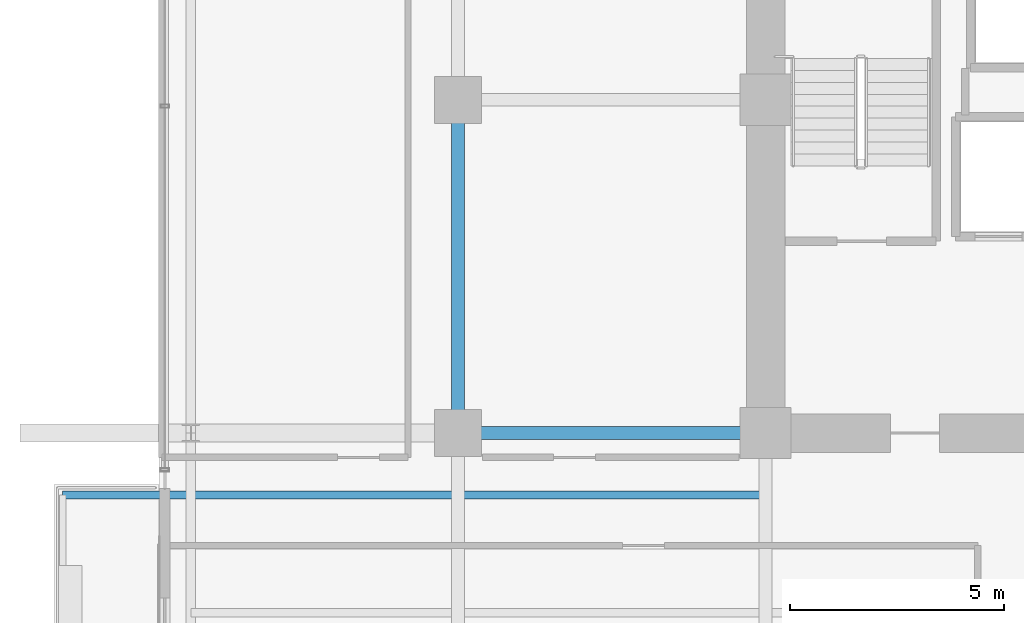
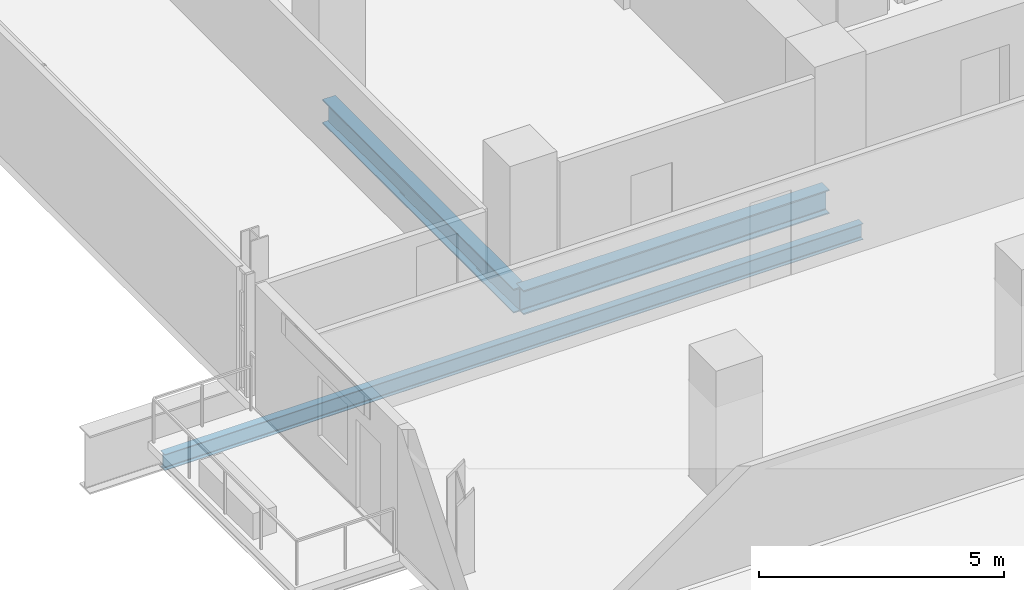
# One storey, part 6 of 31: 3 beams.
"""IFC4 building model written with IfcOpenShell, lengths in metres."""

from ifc_helpers import new_model, si_unit, direction, frame, origin, origin_2d, place, context, subcontext, project, spatial, i_section, extrude, material, material_profile, profile_set, type_object, element, save


model = new_model("IFC4")

# Units and contexts
model_context = context("Model", 3, precision=1e-05, world=origin(), true_north=direction((0.0, 1.0)))
body_context = subcontext(model_context, "Body", "Model", "MODEL_VIEW")
ifc_project = project(units=[si_unit("LENGTHUNIT", "METRE"), si_unit("AREAUNIT", "SQUARE_METRE"), si_unit("VOLUMEUNIT", "CUBIC_METRE"), si_unit("PLANEANGLEUNIT", "RADIAN"), si_unit("MASSUNIT", "GRAM", prefix="KILO")], contexts=[model_context])

# Site, building, storey
site_placement = place(None, origin())
site = spatial("IfcSite", under=ifc_project, at=site_placement, CompositionType="ELEMENT")
building_placement = place(site_placement, origin())
building = spatial("IfcBuilding", under=site, at=building_placement, Name="Zarnakvel Exchange Tower", CompositionType="ELEMENT")
storey_placement = place(building_placement, frame((0.0, 0.0, 53.800048828125)))
storey = spatial("IfcBuildingStorey", under=building, at=storey_placement, Name="L14", CompositionType="ELEMENT", Elevation=53.800048828125)

# Beams
ifc_material = material(Name="Steel S355", Category="steel")
ifc_material_profile_1 = material_profile(ifc_material, i_section(OverallWidth=0.179931640625, OverallDepth=0.39990234375, WebThickness=0.008544921875, FlangeThickness=0.013427734375, FilletRadius=0.02099609375, at=origin_2d()))
ifc_profile_set_1 = profile_set([ifc_material_profile_1], Name="Steel S355")
beam_type_1 = type_object("IfcBeamType", Name="B-06", PredefinedType="JOIST", material=ifc_profile_set_1)
beam_1_placement = place(storey_placement, frame((-14.39990234375, -2.64990234375, -0.425048828125), z_axis=(-1.0, 0.0, 0.0), x_axis=(0.0, -1.0, 0.0)))
element("IfcBeam", 1, at=beam_1_placement, inside=storey, type_object=beam_type_1, Name="L14 Continuous West Loggia Beam N", PredefinedType="JOIST", context=body_context, shape_type="SweptSolid", body=[
    extrude(i_section(OverallWidth=0.179931640625, OverallDepth=0.39990234375, WebThickness=0.008544921875, FlangeThickness=0.013427734375, FilletRadius=0.02099609375, at=origin_2d()), origin(), (0.0, 0.0, 1.0), 16.4501953125),
])
ifc_material_profile_2 = material_profile(ifc_material, i_section(OverallWidth=0.300048828125, OverallDepth=0.60009765625, WebThickness=0.015380859375, FlangeThickness=0.030029296875, FilletRadius=0.027099609375, at=origin_2d()))
ifc_profile_set_2 = profile_set([ifc_material_profile_2], Name="Steel S355")
beam_type_2 = type_object("IfcBeamType", Name="G-04", PredefinedType="BEAM", material=ifc_profile_set_2)
beam_2_placement = place(storey_placement, frame((-21.60009765625, -1.199951171875, -0.525146484375), z_axis=(1.0, 0.0, 0.0), x_axis=(0.0, 1.0, 0.0)))
element("IfcBeam", 2, at=beam_2_placement, inside=storey, type_object=beam_type_2, Name="L14 Tower E-W Frame Beam", PredefinedType="BEAM", context=body_context, shape_type="SweptSolid", body=[
    extrude(i_section(OverallWidth=0.300048828125, OverallDepth=0.60009765625, WebThickness=0.015380859375, FlangeThickness=0.030029296875, FilletRadius=0.027099609375, at=origin_2d()), origin(), (0.0, 0.0, 1.0), 7.2001953125),
])
beam_3_placement = place(storey_placement, frame((-21.60009765625, -1.199951171875, -0.525146484375), z_axis=(0.0, 1.0, 0.0), x_axis=(-1.0, 0.0, 0.0)))
element("IfcBeam", 3, at=beam_3_placement, inside=storey, type_object=beam_type_2, Name="L14 Tower N-S Frame Beam", PredefinedType="BEAM", context=body_context, shape_type="SweptSolid", body=[
    extrude(i_section(OverallWidth=0.300048828125, OverallDepth=0.60009765625, WebThickness=0.015380859375, FlangeThickness=0.030029296875, FilletRadius=0.027099609375, at=origin_2d()), origin(), (0.0, 0.0, 1.0), 7.800048828125),
])

save(model, "model.ifc")
